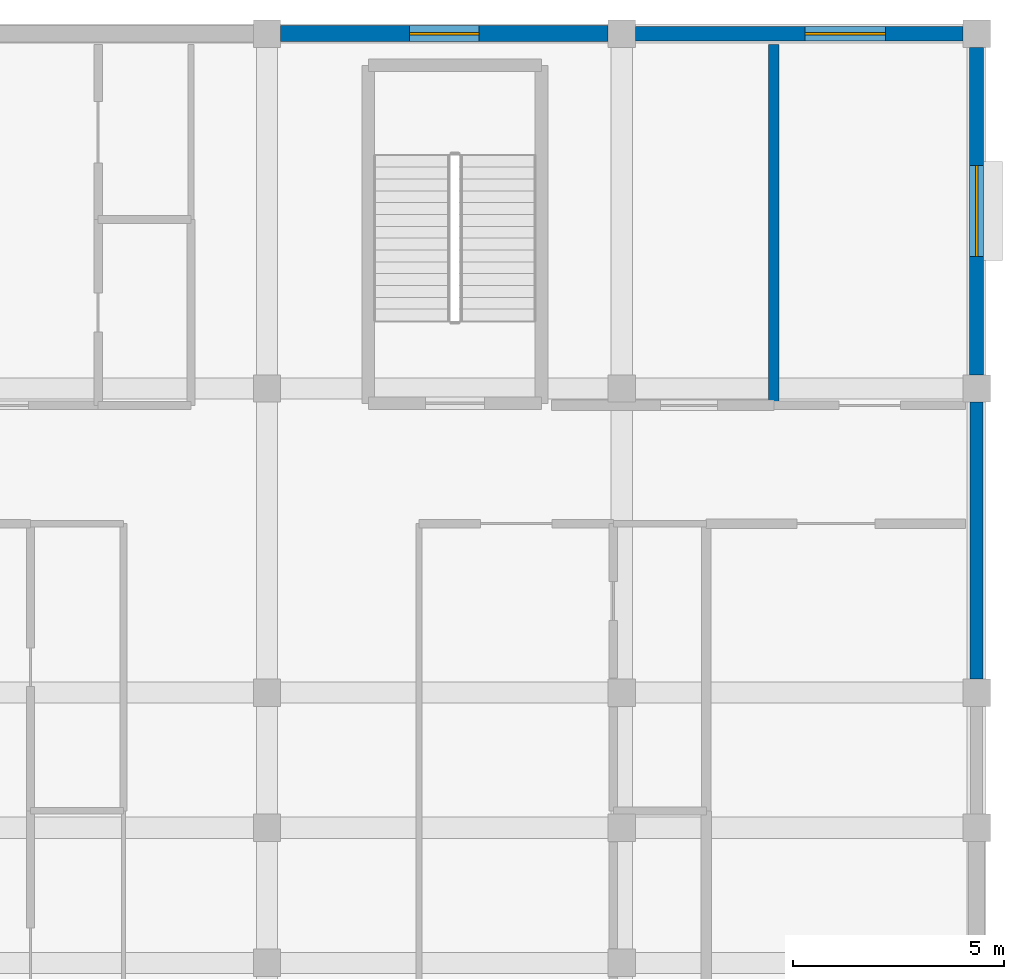
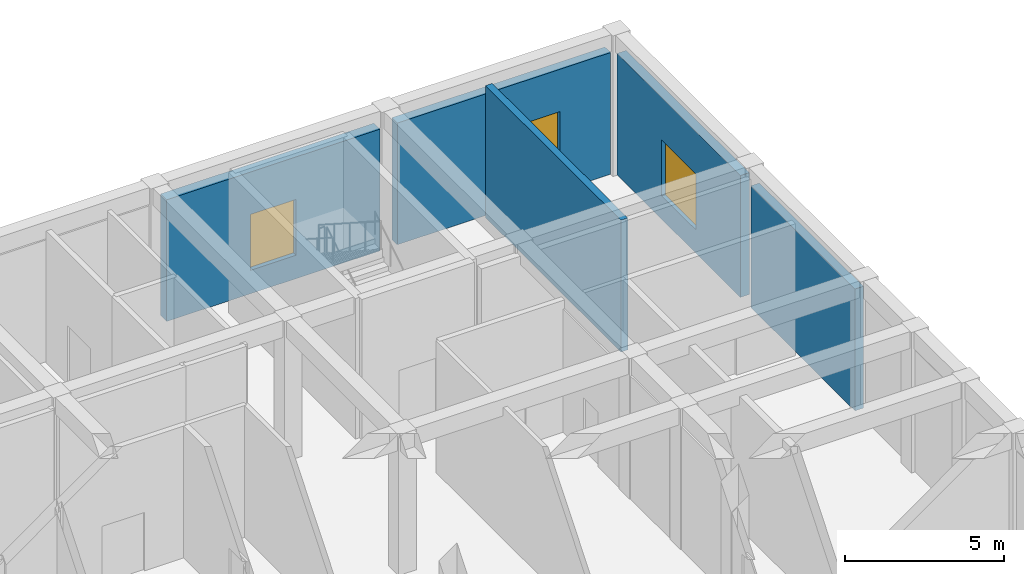
# One storey, part 71 of 89: 5 walls, 3 windows, 3 openings.
"""IFC4 building model written with IfcOpenShell, lengths in metres."""

from ifc_helpers import new_model, si_unit, direction, frame, frame_2d, origin, place, context, subcontext, project, spatial, rectangle, extrude, material, layer, layer_set, type_object, element, fill, save


model = new_model("IFC4")

# Units and contexts
model_context = context("Model", 3, precision=1e-05, world=origin(), true_north=direction((0.0, 1.0)))
body_context = subcontext(model_context, "Body", "Model", "MODEL_VIEW")
ifc_project = project(units=[si_unit("LENGTHUNIT", "METRE"), si_unit("AREAUNIT", "SQUARE_METRE"), si_unit("VOLUMEUNIT", "CUBIC_METRE"), si_unit("PLANEANGLEUNIT", "RADIAN"), si_unit("MASSUNIT", "GRAM", prefix="KILO")], contexts=[model_context])

# Site, building, storey
site_placement = place(None, origin())
site = spatial("IfcSite", under=ifc_project, at=site_placement, CompositionType="ELEMENT")
building_placement = place(site_placement, origin())
building = spatial("IfcBuilding", under=site, at=building_placement, Name="Varncliffe General Hospital", CompositionType="ELEMENT")
storey_placement = place(building_placement, frame((0.0, 0.0, 10.800048828125)))
storey = spatial("IfcBuildingStorey", under=building, at=storey_placement, Name="L02", CompositionType="ELEMENT", Elevation=10.800048828125)

# Wall
ifc_material_1 = material(Name="Precast concrete C40/50 with insulated cream lime-cement stucco", Category="concrete")
ifc_layer_1 = layer(ifc_material_1, 0.31005859375)
ifc_layer_set_1 = layer_set([ifc_layer_1], Name="Precast concrete C40/50 with insulated cream lime-cement stucco")
wall_type_1 = type_object("IfcWallType", Name="Exterior Insulated Stucco Wall EW20 (310mm)", PredefinedType="SOLIDWALL", material=ifc_layer_set_1)
wall_1_placement = place(storey_placement, frame((176.39990234375, 116.076904296875, 0.0), z_axis=(0.0, 0.0, 1.0), x_axis=(0.0, -1.0, 0.0)))
element("IfcWall", 1, at=wall_1_placement, inside=storey, type_object=wall_type_1, Name="L02 Exterior Stucco Wall EW20-195", PredefinedType="SOLIDWALL", context=body_context, shape_type="SweptSolid", body=[
    extrude(rectangle(XDim=6.553955078125, YDim=0.31005859375, at=frame_2d((3.27685546875, 0.0))), origin(), (0.0, 0.0, 1.0), 4.679931640625),
])

# Wall, opening, window
ifc_layer_2 = layer(ifc_material_1, 0.3798828125)
ifc_layer_set_2 = layer_set([ifc_layer_2], Name="Precast concrete C40/50 with insulated cream lime-cement stucco")
wall_type_2 = type_object("IfcWallType", Name="Exterior Insulated Stucco Wall EW26 (380mm)", PredefinedType="SOLIDWALL", material=ifc_layer_set_2)
wall_2_placement = place(storey_placement, frame((159.923095703125, 124.800048828125, 0.0), z_axis=(0.0, 0.0, 1.0), x_axis=(1.0, 0.0, 0.0)))
wall_2 = element("IfcWall", 2, at=wall_2_placement, inside=storey, type_object=wall_type_2, Name="L02 Exterior Stucco Wall EW26-192", PredefinedType="SOLIDWALL", context=body_context, shape_type="SweptSolid", body=[
    extrude(rectangle(XDim=7.75390625, YDim=0.3798828125, at=frame_2d((3.876953125, 0.0))), origin(), (0.0, 0.0, 1.0), 4.679931640625),
])
opening_1_placement = place(wall_2_placement, frame((3.052001953125, 0.0, 0.89990234375)))
opening_1 = element("IfcOpeningElement", 3, at=opening_1_placement, cuts=wall_2, Name="Opening WN42", PredefinedType="OPENING", context=body_context, shape_type="SweptSolid", body=[
    extrude(rectangle(XDim=1.64990234375, YDim=2.14990234375, at=frame_2d((0.824951171875, 1.074951171875))), frame((0.0, 0.199951171875, 0.0), z_axis=(0.0, -1.0, 0.0), x_axis=(1.0, 0.0, 0.0)), (0.0, 0.0, 1.0), 0.39990234375),
])
ifc_material_2 = material(Name="Triple low-E argon insulated vision glazing", Category="glass")
window_type_1 = type_object("IfcWindowType", Name="Triple-Glazed Hospital Window WN42 (1650x2150)", PartitioningType="DOUBLE_PANEL_VERTICAL", PredefinedType="WINDOW", material=ifc_material_2)
window_1_placement = place(opening_1_placement, origin())
window_1 = element("IfcWindow", 4, at=window_1_placement, inside=storey, type_object=window_type_1, Name="L02 Hospital Window WN42-123", OverallHeight=2.14990234375, OverallWidth=1.64990234375, PartitioningType="DOUBLE_PANEL_VERTICAL", PredefinedType="WINDOW", context=body_context, shape_type="SweptSolid", body=[
    extrude(rectangle(XDim=1.64990234375, YDim=2.14990234375, at=frame_2d((0.824951171875, 1.074951171875))), frame((0.0, 0.030029296875, 0.0), z_axis=(0.0, -1.0, 0.0), x_axis=(1.0, 0.0, 0.0)), (0.0, 0.0, 1.0), 0.06005859375),
])
fill(opening_1, window_1)

ifc_layer_3 = layer(ifc_material_1, 0.330078125)
ifc_layer_set_3 = layer_set([ifc_layer_3], Name="Precast concrete C40/50 with insulated cream lime-cement stucco")
wall_type_3 = type_object("IfcWallType", Name="Exterior Insulated Stucco Wall EW33 (330mm)", PredefinedType="SOLIDWALL", material=ifc_layer_set_3)
wall_3_placement = place(storey_placement, frame((176.39990234375, 124.47705078125, 0.0), z_axis=(0.0, 0.0, 1.0), x_axis=(0.0, -1.0, 0.0)))
wall_3 = element("IfcWall", 5, at=wall_3_placement, inside=storey, type_object=wall_type_3, Name="L02 Exterior Stucco Wall EW33-194", PredefinedType="SOLIDWALL", context=body_context, shape_type="SweptSolid", body=[
    extrude(rectangle(XDim=7.754150390625, YDim=0.330078125, at=frame_2d((3.876953125, 0.0))), origin(), (0.0, 0.0, 1.0), 4.679931640625),
])
opening_2_placement = place(wall_3_placement, frame((2.802001953125, 0.0, 0.89990234375)))
opening_2 = element("IfcOpeningElement", 6, at=opening_2_placement, cuts=wall_3, Name="Opening WN57", PredefinedType="OPENING", context=body_context, shape_type="SweptSolid", body=[
    extrude(rectangle(XDim=2.14990234375, YDim=2.14990234375, at=frame_2d((1.074951171875, 1.074951171875))), frame((0.0, 0.175048828125, 0.0), z_axis=(0.0, -1.0, 0.0), x_axis=(1.0, 0.0, 0.0)), (0.0, 0.0, 1.0), 0.35009765625),
])
window_type_2 = type_object("IfcWindowType", Name="Triple-Glazed Hospital Window WN57 (2150x2150)", PartitioningType="DOUBLE_PANEL_VERTICAL", PredefinedType="WINDOW", material=ifc_material_2)
window_2_placement = place(opening_2_placement, origin())
window_2 = element("IfcWindow", 7, at=window_2_placement, inside=storey, type_object=window_type_2, Name="L02 Hospital Window WN57-125", OverallHeight=2.14990234375, OverallWidth=2.14990234375, PartitioningType="DOUBLE_PANEL_VERTICAL", PredefinedType="WINDOW", context=body_context, shape_type="SweptSolid", body=[
    extrude(rectangle(XDim=2.14990234375, YDim=2.14990234375, at=frame_2d((1.074951171875, 1.074951171875))), frame((0.0, 0.030029296875, 0.0), z_axis=(0.0, -1.0, 0.0), x_axis=(1.0, 0.0, 0.0)), (0.0, 0.0, 1.0), 0.06005859375),
])
fill(opening_2, window_2)

ifc_layer_4 = layer(ifc_material_1, 0.35009765625)
ifc_layer_set_4 = layer_set([ifc_layer_4], Name="Precast concrete C40/50 with insulated cream lime-cement stucco")
wall_type_4 = type_object("IfcWallType", Name="Exterior Insulated Stucco Wall EW37 (350mm)", PredefinedType="SOLIDWALL", material=ifc_layer_set_4)
wall_4_placement = place(storey_placement, frame((168.322998046875, 124.800048828125, 0.0), z_axis=(0.0, 0.0, 1.0), x_axis=(1.0, 0.0, 0.0)))
wall_4 = element("IfcWall", 8, at=wall_4_placement, inside=storey, type_object=wall_type_4, Name="L02 Exterior Stucco Wall EW37-193", PredefinedType="SOLIDWALL", context=body_context, shape_type="SweptSolid", body=[
    extrude(rectangle(XDim=7.75390625, YDim=0.35009765625, at=frame_2d((3.876953125, 0.0))), origin(), (0.0, 0.0, 1.0), 4.679931640625),
])
opening_3_placement = place(wall_4_placement, frame((4.016845703125, 0.0, 0.89990234375)))
opening_3 = element("IfcOpeningElement", 9, at=opening_3_placement, cuts=wall_4, Name="Opening WN15", PredefinedType="OPENING", context=body_context, shape_type="SweptSolid", body=[
    extrude(rectangle(XDim=1.89990234375, YDim=2.14990234375, at=frame_2d((0.949951171875, 1.074951171875))), frame((0.0, 0.18505859375, 0.0), z_axis=(0.0, -1.0, 0.0), x_axis=(1.0, 0.0, 0.0)), (0.0, 0.0, 1.0), 0.3701171875),
])
window_type_3 = type_object("IfcWindowType", Name="Triple-Glazed Hospital Window WN15 (1900x2150)", PartitioningType="DOUBLE_PANEL_VERTICAL", PredefinedType="WINDOW", material=ifc_material_2)
window_3_placement = place(opening_3_placement, origin())
window_3 = element("IfcWindow", 10, at=window_3_placement, inside=storey, type_object=window_type_3, Name="L02 Hospital Window WN15-124", OverallHeight=2.14990234375, OverallWidth=1.89990234375, PartitioningType="DOUBLE_PANEL_VERTICAL", PredefinedType="WINDOW", context=body_context, shape_type="SweptSolid", body=[
    extrude(rectangle(XDim=1.89990234375, YDim=2.14990234375, at=frame_2d((0.949951171875, 1.074951171875))), frame((0.0, 0.030029296875, 0.0), z_axis=(0.0, -1.0, 0.0), x_axis=(1.0, 0.0, 0.0)), (0.0, 0.0, 1.0), 0.06005859375),
])
fill(opening_3, window_3)

# Wall
ifc_material_3 = material(Name="Fire-rated gypsum and mineral-wool partition assembly", Category="gypsum")
ifc_layer_5 = layer(ifc_material_3, 0.25)
ifc_layer_set_5 = layer_set([ifc_layer_5], Name="Fire-rated gypsum and mineral-wool partition assembly")
wall_type_5 = type_object("IfcWallType", Name="Interior Partitioning PW38 (250mm)", PredefinedType="PARTITIONING", material=ifc_layer_set_5)
wall_5_placement = place(storey_placement, frame((171.60009765625, 116.0, 0.0), z_axis=(0.0, 0.0, 1.0), x_axis=(0.0, 1.0, 0.0)))
element("IfcWall", 11, at=wall_5_placement, inside=storey, type_object=wall_type_5, Name="L02 Interior Partition Wall PW38-1321", PredefinedType="PARTITIONING", context=body_context, shape_type="SweptSolid", body=[
    extrude(rectangle(XDim=8.5400390625, YDim=0.25, at=frame_2d((4.27001953125, 0.0))), origin(), (0.0, 0.0, 1.0), 5.070068359375),
])

save(model, "model.ifc")
